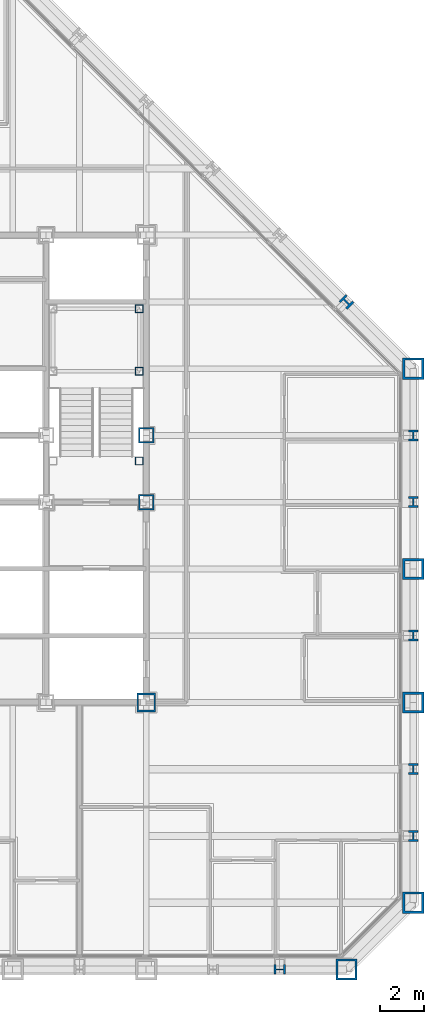
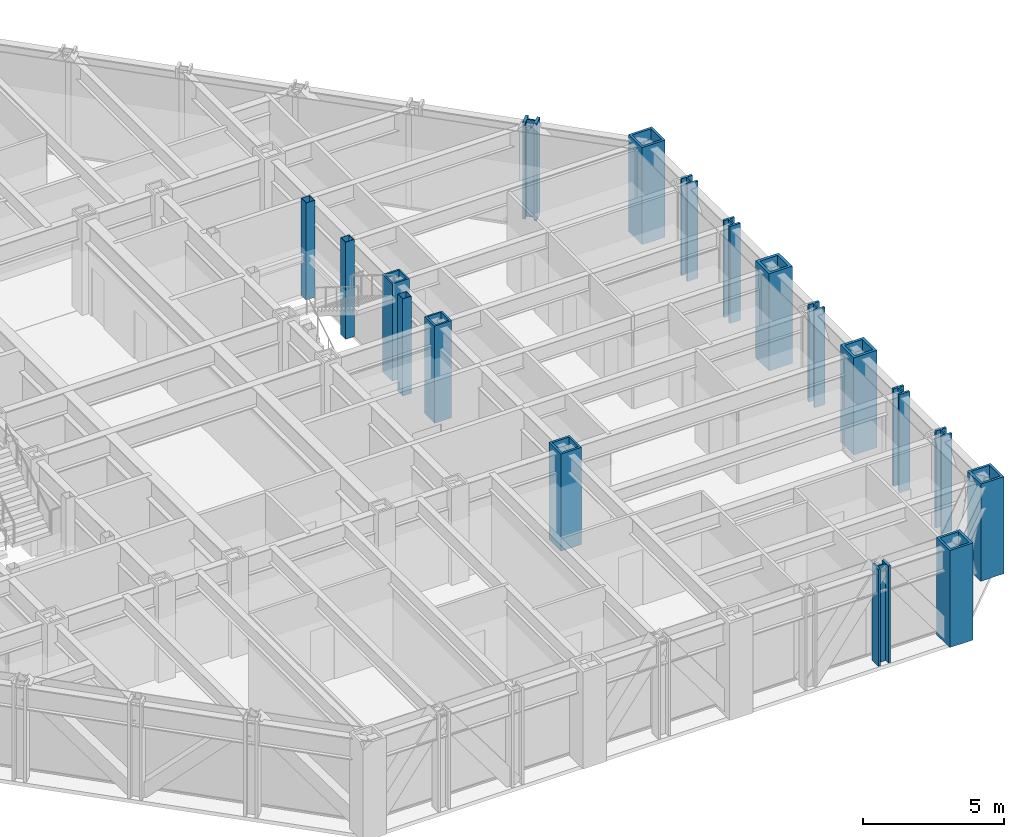
# One storey, part 2 of 16: 18 columns.
"""IFC4 building model written with IfcOpenShell, lengths in metres."""

from ifc_helpers import new_model, si_unit, direction, frame, origin, origin_2d, place, context, subcontext, project, spatial, hollow_rectangle, i_section, extrude, material, material_profile, profile_set, type_object, element, save


model = new_model("IFC4")

# Units and contexts
model_context = context("Model", 3, precision=1e-05, world=origin(), true_north=direction((0.0, 1.0)))
body_context = subcontext(model_context, "Body", "Model", "MODEL_VIEW")
ifc_project = project(units=[si_unit("LENGTHUNIT", "METRE"), si_unit("AREAUNIT", "SQUARE_METRE"), si_unit("VOLUMEUNIT", "CUBIC_METRE"), si_unit("PLANEANGLEUNIT", "RADIAN"), si_unit("MASSUNIT", "GRAM", prefix="KILO")], contexts=[model_context])

# Site, building, storey
site_placement = place(None, origin())
site = spatial("IfcSite", under=ifc_project, at=site_placement, CompositionType="ELEMENT")
building_placement = place(site_placement, origin())
building = spatial("IfcBuilding", under=site, at=building_placement, Name="Chuquiago Exchange Tower", CompositionType="ELEMENT")
storey_placement = place(building_placement, frame((0.0, 0.0, 119.39990234375)))
storey = spatial("IfcBuildingStorey", under=building, at=storey_placement, Name="L25", CompositionType="ELEMENT", Elevation=119.39990234375)

# Columns
ifc_material_1 = material(Name="Steel ASTM A992", Category="steel")
ifc_material_profile_1 = material_profile(ifc_material_1, i_section(OverallWidth=0.431884765625, OverallDepth=0.497802734375, WebThickness=0.0556640625, FlangeThickness=0.0888671875, at=origin_2d()), Name="W14X500")
ifc_profile_set_1 = profile_set([ifc_material_profile_1], Name="Steel ASTM A992")
column_type_1 = type_object("IfcColumnType", Name="C3 W14X500", PredefinedType="COLUMN", material=ifc_profile_set_1)
for number, where, z_axis, x_axis, name in (
    (1, (39.0, 0.0, 0.0), (0.0, 0.0, 1.0), (0.0, -1.0, 0.0), "COL-L25-39_0"),
    (2, (45.0, 6.0, 0.0), (0.0, 0.0, 1.0), (1.0, 0.0, 0.0), "COL-L25-45_6"),
    (3, (45.0, 9.0, 0.0), (0.0, 0.0, 1.0), (1.0, 0.0, 0.0), "COL-L25-45_9"),
    (4, (45.0, 15.0, 0.0), (0.0, 0.0, 1.0), (1.0, 0.0, 0.0), "COL-L25-45_15"),
    (5, (45.0, 21.0, 0.0), (0.0, 0.0, 1.0), (1.0, 0.0, 0.0), "COL-L25-45_21"),
    (6, (45.0, 24.0, 0.0), (0.0, 0.0, 1.0), (1.0, 0.0, 0.0), "COL-L25-45_24"),
):
    element("IfcColumn", number, at=place(storey_placement, frame(where, z_axis=z_axis, x_axis=x_axis)), inside=storey, type_object=column_type_1, Name=name, PredefinedType="COLUMN", context=body_context, shape_type="SweptSolid", body=[
        extrude(i_section(OverallWidth=0.431884765625, OverallDepth=0.497802734375, WebThickness=0.0556640625, FlangeThickness=0.0888671875, at=origin_2d()), origin(), (0.0, 0.0, 1.0), 4.2001953125),
    ])
ifc_material_2 = material(Name="Steel ASTM A572 Grade 50", Category="steel")
ifc_material_profile_2 = material_profile(ifc_material_2, hollow_rectangle(XDim=0.699951171875, YDim=0.699951171875, WallThickness=0.070068359375, at=origin_2d()), Name="BOX700X700X70")
ifc_profile_set_2 = profile_set([ifc_material_profile_2], Name="Steel ASTM A572 Grade 50")
column_type_2 = type_object("IfcColumnType", Name="CC3 BOX700X700X70", PredefinedType="COLUMN", material=ifc_profile_set_2)
for number, where, z_axis, x_axis, name in (
    (7, (33.0, 21.0, 0.0), (0.0, 0.0, 1.0), (1.0, 0.0, 0.0), "CCOL-L25-33_21"),
    (8, (33.0, 24.0, 0.0), (0.0, 0.0, 1.0), (1.0, 0.0, 0.0), "CCOL-L25-33_24"),
):
    element("IfcColumn", number, at=place(storey_placement, frame(where, z_axis=z_axis, x_axis=x_axis)), inside=storey, type_object=column_type_2, Name=name, PredefinedType="COLUMN", context=body_context, shape_type="SweptSolid", body=[
        extrude(hollow_rectangle(XDim=0.699951171875, YDim=0.699951171875, WallThickness=0.070068359375, at=origin_2d()), origin(), (0.0, 0.0, 1.0), 4.2001953125),
    ])
ifc_material_3 = material(Name="Steel ASTM A572 Grade 50", Category="steel")
ifc_material_profile_3 = material_profile(ifc_material_3, hollow_rectangle(XDim=0.85009765625, YDim=0.85009765625, WallThickness=0.0849609375, at=origin_2d()), Name="BOX850X850X85")
ifc_profile_set_3 = profile_set([ifc_material_profile_3], Name="Steel ASTM A572 Grade 50")
column_type_3 = type_object("IfcColumnType", Name="CC6 BOX850X850X85", PredefinedType="COLUMN", material=ifc_profile_set_3)
column_1_placement = place(storey_placement, frame((33.0, 12.0, 0.0), z_axis=(0.0, 0.0, 1.0), x_axis=(1.0, 0.0, 0.0)))
element("IfcColumn", 9, at=column_1_placement, inside=storey, type_object=column_type_3, Name="CCOL-L25-33_12", PredefinedType="COLUMN", context=body_context, shape_type="SweptSolid", body=[
    extrude(hollow_rectangle(XDim=0.85009765625, YDim=0.85009765625, WallThickness=0.0849609375, at=origin_2d()), origin(), (0.0, 0.0, 1.0), 4.2001953125),
])
ifc_material_4 = material(Name="Steel ASTM A992", Category="steel")
ifc_material_profile_4 = material_profile(ifc_material_4, i_section(OverallWidth=0.44189453125, OverallDepth=0.53076171875, WebThickness=0.06591796875, FlangeThickness=0.105712890625, at=origin_2d()), Name="W14X605")
ifc_profile_set_4 = profile_set([ifc_material_profile_4], Name="Steel ASTM A992")
column_type_4 = type_object("IfcColumnType", Name="CK3 W14X605", PredefinedType="COLUMN", material=ifc_profile_set_4)
column_2_placement = place(storey_placement, frame((42.0, 30.0, 0.0), z_axis=(0.0, 0.0, 1.0), x_axis=(0.707106781187, 0.707106781187, 0.0)))
element("IfcColumn", 10, at=column_2_placement, inside=storey, type_object=column_type_4, Name="COL-L25-42_30", PredefinedType="COLUMN", context=body_context, shape_type="SweptSolid", body=[
    extrude(i_section(OverallWidth=0.44189453125, OverallDepth=0.53076171875, WebThickness=0.06591796875, FlangeThickness=0.105712890625, at=origin_2d()), origin(), (0.0, 0.0, 1.0), 4.2001953125),
])
ifc_material_5 = material(Name="Steel ASTM A572 Grade 50", Category="steel")
ifc_material_profile_5 = material_profile(ifc_material_5, hollow_rectangle(XDim=0.949951171875, YDim=0.949951171875, WallThickness=0.094970703125, at=origin_2d()), Name="BOX950X950X95")
ifc_profile_set_5 = profile_set([ifc_material_profile_5], Name="Steel ASTM A572 Grade 50")
column_type_5 = type_object("IfcColumnType", Name="CN1 BOX950X950X95", PredefinedType="COLUMN", material=ifc_profile_set_5)
for number, where, z_axis, x_axis, name in (
    (11, (42.0, 0.0, 0.0), (0.0, 0.0, 1.0), (0.0, -1.0, 0.0), "COL-L25-42_0"),
    (12, (45.0, 3.0, 0.0), (0.0, 0.0, 1.0), (1.0, 0.0, 0.0), "COL-L25-45_3"),
    (13, (45.0, 27.0, 0.0), (0.0, 0.0, 1.0), (1.0, 0.0, 0.0), "COL-L25-45_27"),
):
    element("IfcColumn", number, at=place(storey_placement, frame(where, z_axis=z_axis, x_axis=x_axis)), inside=storey, type_object=column_type_5, Name=name, PredefinedType="COLUMN", context=body_context, shape_type="SweptSolid", body=[
        extrude(hollow_rectangle(XDim=0.949951171875, YDim=0.949951171875, WallThickness=0.094970703125, at=origin_2d()), origin(), (0.0, 0.0, 1.0), 4.2001953125),
    ])
ifc_material_6 = material(Name="Steel ASTM A572 Grade 42", Category="steel")
ifc_material_profile_6 = material_profile(ifc_material_6, hollow_rectangle(XDim=0.949951171875, YDim=0.949951171875, WallThickness=0.110107421875, at=origin_2d()), Name="BOX950X950X110")
ifc_profile_set_6 = profile_set([ifc_material_profile_6], Name="Steel ASTM A572 Grade 42")
column_type_6 = type_object("IfcColumnType", Name="CT1 BOX950X950X110", PredefinedType="COLUMN", material=ifc_profile_set_6)
for number, where, z_axis, x_axis, name in (
    (14, (45.0, 12.0, 0.0), (0.0, 0.0, 1.0), (1.0, 0.0, 0.0), "COL-L25-45_12"),
    (15, (45.0, 18.0, 0.0), (0.0, 0.0, 1.0), (1.0, 0.0, 0.0), "COL-L25-45_18"),
):
    element("IfcColumn", number, at=place(storey_placement, frame(where, z_axis=z_axis, x_axis=x_axis)), inside=storey, type_object=column_type_6, Name=name, PredefinedType="COLUMN", context=body_context, shape_type="SweptSolid", body=[
        extrude(hollow_rectangle(XDim=0.949951171875, YDim=0.949951171875, WallThickness=0.110107421875, at=origin_2d()), origin(), (0.0, 0.0, 1.0), 4.2001953125),
    ])
ifc_material_7 = material(Name="Steel ASTM A500 Grade C", Category="steel")
ifc_material_profile_7 = material_profile(ifc_material_7, hollow_rectangle(XDim=0.355712890625, YDim=0.355712890625, WallThickness=0.0146484375, at=origin_2d()), Name="HSS14X14X5/8")
ifc_profile_set_7 = profile_set([ifc_material_profile_7], Name="Steel ASTM A500 Grade C")
column_type_7 = type_object("IfcColumnType", Name="PT2 HSS14X14X5/8", PredefinedType="COLUMN", material=ifc_profile_set_7)
for number, where, z_axis, x_axis, name in (
    (16, (32.68994140625, 29.68994140625, 0.0), (0.0, 0.0, 1.0), (1.0, 0.0, 0.0), "Stair ST2 L25 landing post"),
    (17, (32.68994140625, 26.889892578125, 0.0), (0.0, 0.0, 1.0), (1.0, 0.0, 0.0), "Stair ST2 L25 landing post"),
    (18, (32.68994140625, 22.85009765625, 0.0), (0.0, 0.0, 1.0), (1.0, 0.0, 0.0), "Stair ST2 L25 landing post"),
):
    element("IfcColumn", number, at=place(storey_placement, frame(where, z_axis=z_axis, x_axis=x_axis)), inside=storey, type_object=column_type_7, Name=name, PredefinedType="COLUMN", context=body_context, shape_type="SweptSolid", body=[
        extrude(hollow_rectangle(XDim=0.355712890625, YDim=0.355712890625, WallThickness=0.0146484375, at=origin_2d()), origin(), (0.0, 0.0, 1.0), 4.2001953125),
    ])

save(model, "model.ifc")
